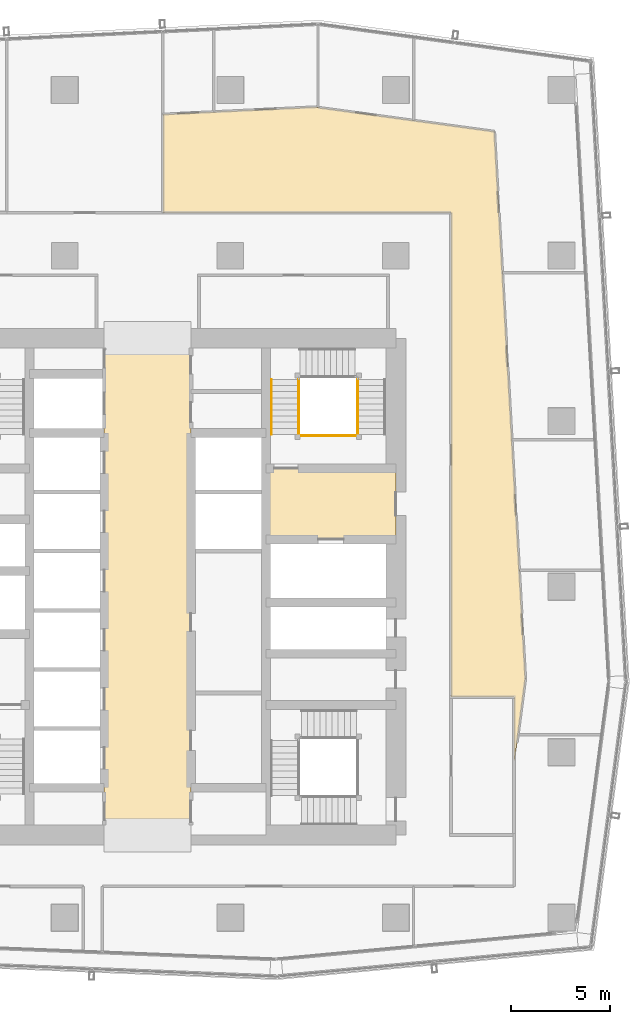
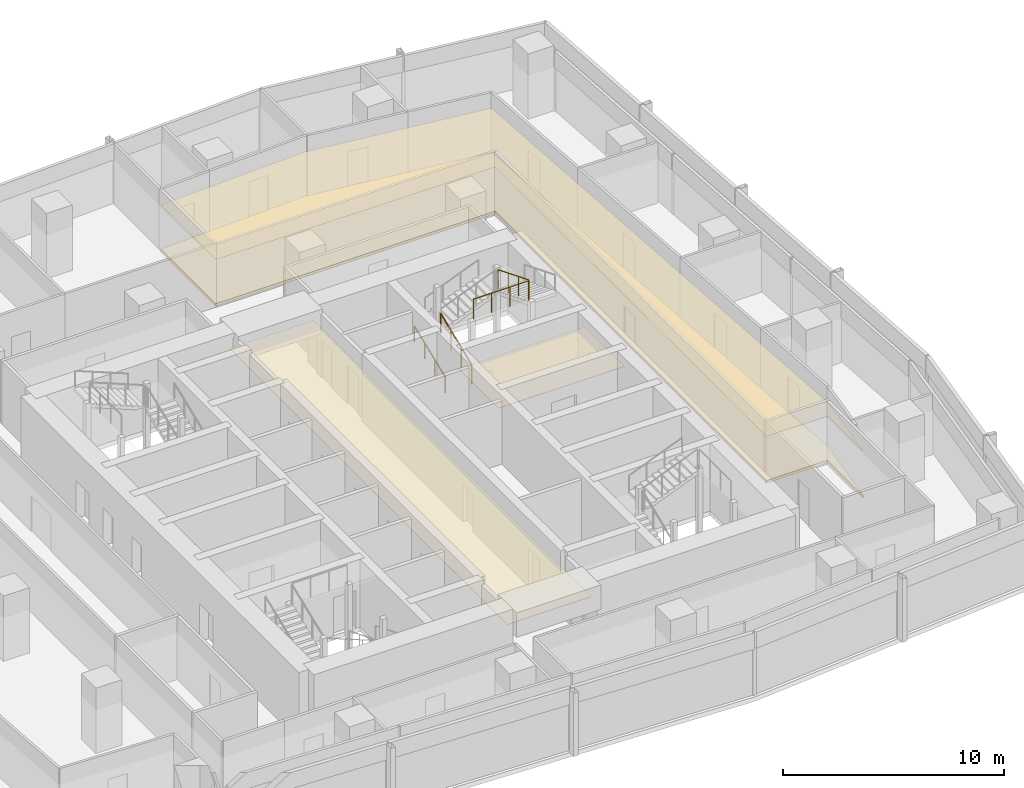
# One storey, part 36 of 38: 4 coverings, 4 railings.
"""IFC4 building model written with IfcOpenShell, lengths in metres."""

from ifc_helpers import new_model, si_unit, direction, frame, origin, origin_2d, place, context, subcontext, project, spatial, polyline, circle, outline, extrude, material, layer, layer_set, type_object, element, save


model = new_model("IFC4")

# Units and contexts
model_context = context("Model", 3, precision=1e-05, world=origin(), true_north=direction((0.0, 1.0)))
body_context = subcontext(model_context, "Body", "Model", "MODEL_VIEW")
ifc_project = project(units=[si_unit("LENGTHUNIT", "METRE"), si_unit("AREAUNIT", "SQUARE_METRE"), si_unit("VOLUMEUNIT", "CUBIC_METRE"), si_unit("PLANEANGLEUNIT", "RADIAN"), si_unit("MASSUNIT", "GRAM", prefix="KILO")], contexts=[model_context])

# Site, building, storey
site_placement = place(None, origin())
site = spatial("IfcSite", under=ifc_project, at=site_placement, CompositionType="ELEMENT")
building_placement = place(site_placement, origin())
building = spatial("IfcBuilding", under=site, at=building_placement, Name="Rekha Terrace Tower", CompositionType="ELEMENT")
storey_placement = place(building_placement, frame((0.0, 0.0, 202.699951171875)))
storey = spatial("IfcBuildingStorey", under=building, at=storey_placement, Name="L51", CompositionType="ELEMENT", Elevation=202.699951171875)

# Coverings
ifc_material_1 = material(Name="Mineral fibre tile in exposed grid", Category="finish")
ifc_layer_1 = layer(ifc_material_1, 0.02001953125)
ifc_layer_set_1 = layer_set([ifc_layer_1], Name="Mineral fibre tile in exposed grid")
covering_type_1 = type_object("IfcCoveringType", Name="CL1 600x1200 office grid ceiling", PredefinedType="CEILING", material=ifc_layer_set_1)
covering_1_placement = place(storey_placement, frame((0.0, 0.0, 2.580078125)))
element("IfcCovering", 1, at=covering_1_placement, inside=storey, type_object=covering_type_1, Name="Ceiling L51-O1", PredefinedType="CEILING", context=body_context, shape_type="SweptSolid", body=[
    extrude(outline(polyline([(46.294921875, 57.93505859375), (41.152099609375, 57.68994140625), (38.570068359375, 57.56591796875), (38.570068359375, 52.574951171875), (53.199951171875, 52.574951171875), (53.199951171875, 28.0), (56.39990234375, 28.0), (56.39990234375, 24.785888671875), (56.419921875, 24.784912109375), (56.592041015625, 26.083984375), (56.969970703125, 28.93798828125), (56.656982421875, 34.448974609375), (56.281982421875, 41.070068359375), (55.801025390625, 49.535888671875), (55.39501953125, 56.697021484375), (51.31201171875, 57.2529296875), (46.444091796875, 57.9150390625), (46.294921875, 57.93505859375)])), origin(), (0.0, 0.0, 1.0), 0.02001953125),
])
ifc_material_2 = material(Name="Powder-coated aluminium pan", Category="aluminium")
ifc_layer_2 = layer(ifc_material_2, 0.030029296875)
ifc_layer_set_2 = layer_set([ifc_layer_2], Name="Powder-coated aluminium pan")
covering_type_2 = type_object("IfcCoveringType", Name="CL3 300x1200 metal pan ceiling", PredefinedType="CEILING", material=ifc_layer_set_2)
covering_2_placement = place(storey_placement, frame((0.0, 0.0, 2.570068359375)))
element("IfcCovering", 2, at=covering_2_placement, inside=storey, type_object=covering_type_2, Name="Ceiling L51-LOBBY", PredefinedType="CEILING", context=body_context, shape_type="SweptSolid", body=[
    extrude(outline(polyline([(40.0, 46.199951171875), (35.60009765625, 46.199951171875), (35.60009765625, 21.0), (40.0, 21.0), (40.0, 46.199951171875)])), origin(), (0.0, 0.0, 1.0), 0.030029296875),
])
covering_3_placement = place(storey_placement, frame((0.0, 0.0, 2.570068359375)))
element("IfcCovering", 3, at=covering_3_placement, inside=storey, type_object=covering_type_2, Name="Ceiling L51-FLB2", PredefinedType="CEILING", context=body_context, shape_type="SweptSolid", body=[
    extrude(outline(polyline([(50.39990234375, 39.60009765625), (43.800048828125, 39.60009765625), (43.800048828125, 36.0), (50.39990234375, 36.0), (50.39990234375, 39.60009765625)])), origin(), (0.0, 0.0, 1.0), 0.030029296875),
])

# Railings
ifc_material_3 = material(Name="Stainless steel balustrade", Category="steel")
railing_type_1 = type_object("IfcRailingType", Name="GR1 1100 stair guard", PredefinedType="GUARDRAIL", material=ifc_material_3)
railing_1_placement = place(storey_placement, frame((45.465087890625, 41.324951171875, 0.125)))
element("IfcRailing", 4, at=railing_1_placement, inside=storey, type_object=railing_type_1, Name="Guard ST2 L51 flight 1", PredefinedType="GUARDRAIL", context=body_context, shape_type="SweptSolid", body=[
    extrude(circle(Radius=0.02392578125, at=origin_2d()), frame((0.0, 0.0, 1.076171875), z_axis=(0.0, 0.927443287984, 0.373963831907), x_axis=(-1.0, 0.0, 0.0)), (0.0, 0.0, 1.0), 3.00830078125),
    extrude(circle(Radius=0.02099609375, at=origin_2d()), origin(), (0.0, 0.0, 1.0), 1.052001953125),
    extrude(circle(Radius=0.02099609375, at=origin_2d()), frame((0.0, 0.929931640625, 0.375)), (0.0, 0.0, 1.0), 1.052001953125),
    extrude(circle(Radius=0.02099609375, at=origin_2d()), frame((0.0, 1.860107421875, 0.75)), (0.0, 0.0, 1.0), 1.052001953125),
    extrude(circle(Radius=0.02099609375, at=origin_2d()), frame((0.0, 2.7900390625, 1.125)), (0.0, 0.0, 1.0), 1.052001953125),
])
railing_2_placement = place(storey_placement, frame((48.4599609375, 44.114990234375, 2.625)))
element("IfcRailing", 5, at=railing_2_placement, inside=storey, type_object=railing_type_1, Name="Guard ST2 L51 flight 3", PredefinedType="GUARDRAIL", context=body_context, shape_type="SweptSolid", body=[
    extrude(circle(Radius=0.02392578125, at=origin_2d()), frame((0.0, 0.0, 1.076171875), z_axis=(0.0, -0.927443287984, 0.373963831907), x_axis=(1.0, 0.0, 0.0)), (0.0, 0.0, 1.0), 3.00830078125),
    extrude(circle(Radius=0.02099609375, at=origin_2d()), origin(), (0.0, 0.0, 1.0), 1.052001953125),
    extrude(circle(Radius=0.02099609375, at=origin_2d()), frame((0.0, -0.929931640625, 0.375)), (0.0, 0.0, 1.0), 1.052001953125),
    extrude(circle(Radius=0.02099609375, at=origin_2d()), frame((0.0, -1.860107421875, 0.75)), (0.0, 0.0, 1.0), 1.052001953125),
    extrude(circle(Radius=0.02099609375, at=origin_2d()), frame((0.0, -2.7900390625, 1.125)), (0.0, 0.0, 1.0), 1.052001953125),
])
railing_3_placement = place(storey_placement, frame((45.52490234375, 41.264892578125, 3.75)))
element("IfcRailing", 6, at=railing_3_placement, inside=storey, type_object=railing_type_1, Name="Guard ST2 L51 landing 4", PredefinedType="GUARDRAIL", context=body_context, shape_type="SweptSolid", body=[
    extrude(circle(Radius=0.02392578125, at=origin_2d()), frame((0.0, 0.0, 1.076171875), z_axis=(1.0, 0.0, 0.0), x_axis=(0.0, 1.0, 0.0)), (0.0, 0.0, 1.0), 2.875),
    extrude(circle(Radius=0.02099609375, at=origin_2d()), origin(), (0.0, 0.0, 1.0), 1.052001953125),
    extrude(circle(Radius=0.02099609375, at=origin_2d()), frame((0.958251953125, 0.0, 0.0)), (0.0, 0.0, 1.0), 1.052001953125),
    extrude(circle(Radius=0.02099609375, at=origin_2d()), frame((1.916748046875, 0.0, 0.0)), (0.0, 0.0, 1.0), 1.052001953125),
    extrude(circle(Radius=0.02099609375, at=origin_2d()), frame((2.875, 0.0, 0.0)), (0.0, 0.0, 1.0), 1.052001953125),
])
ifc_material_4 = material(Name="Stainless steel tube", Category="steel")
railing_type_2 = type_object("IfcRailingType", Name="HR1 900 stair handrail", PredefinedType="HANDRAIL", material=ifc_material_4)
railing_4_placement = place(storey_placement, frame((44.0849609375, 41.324951171875, 0.125)))
element("IfcRailing", 7, at=railing_4_placement, inside=storey, type_object=railing_type_2, Name="Handrail ST2 L51 flight 1", PredefinedType="HANDRAIL", context=body_context, shape_type="SweptSolid", body=[
    extrude(circle(Radius=0.02392578125, at=origin_2d()), frame((0.0, 0.0, 0.8759765625), z_axis=(0.0, 0.927443287984, 0.373963831907), x_axis=(-1.0, 0.0, 0.0)), (0.0, 0.0, 1.0), 3.00830078125),
    extrude(circle(Radius=0.02099609375, at=origin_2d()), origin(), (0.0, 0.0, 1.0), 0.851806640625),
    extrude(circle(Radius=0.02099609375, at=origin_2d()), frame((0.0, 0.929931640625, 0.375)), (0.0, 0.0, 1.0), 0.851806640625),
    extrude(circle(Radius=0.02099609375, at=origin_2d()), frame((0.0, 1.860107421875, 0.75)), (0.0, 0.0, 1.0), 0.851806640625),
    extrude(circle(Radius=0.02099609375, at=origin_2d()), frame((0.0, 2.7900390625, 1.125)), (0.0, 0.0, 1.0), 0.851806640625),
])

# Covering
ifc_material_5 = material(Name="Calcium sulphate panels on steel pedestals", Category="steel")
ifc_layer_3 = layer(ifc_material_5, 0.14990234375)
ifc_layer_set_3 = layer_set([ifc_layer_3], Name="Calcium sulphate panels on steel pedestals")
covering_type_3 = type_object("IfcCoveringType", Name="RF1 150 raised access floor", PredefinedType="FLOORING", material=ifc_layer_set_3)
covering_4_placement = place(storey_placement, origin())
element("IfcCovering", 8, at=covering_4_placement, inside=storey, type_object=covering_type_3, Name="Raised floor L51-O1", PredefinedType="FLOORING", context=body_context, shape_type="SweptSolid", body=[
    extrude(outline(polyline([(46.294921875, 57.93505859375), (41.152099609375, 57.68994140625), (38.570068359375, 57.56591796875), (38.570068359375, 52.574951171875), (53.199951171875, 52.574951171875), (53.199951171875, 28.0), (56.39990234375, 28.0), (56.39990234375, 24.785888671875), (56.419921875, 24.784912109375), (56.592041015625, 26.083984375), (56.969970703125, 28.93798828125), (56.656982421875, 34.448974609375), (56.281982421875, 41.070068359375), (55.801025390625, 49.535888671875), (55.39501953125, 56.697021484375), (51.31201171875, 57.2529296875), (46.444091796875, 57.9150390625), (46.294921875, 57.93505859375)])), origin(), (0.0, 0.0, 1.0), 0.150146484375),
])

save(model, "model.ifc")
